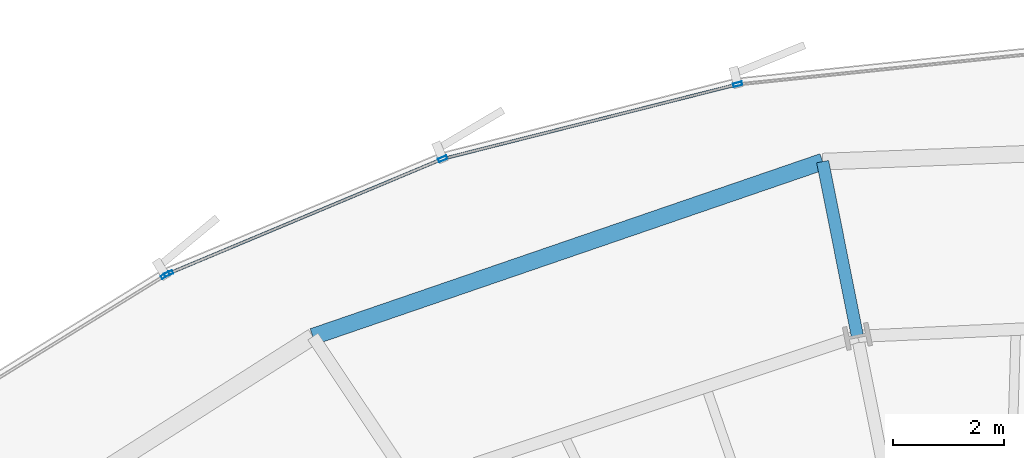
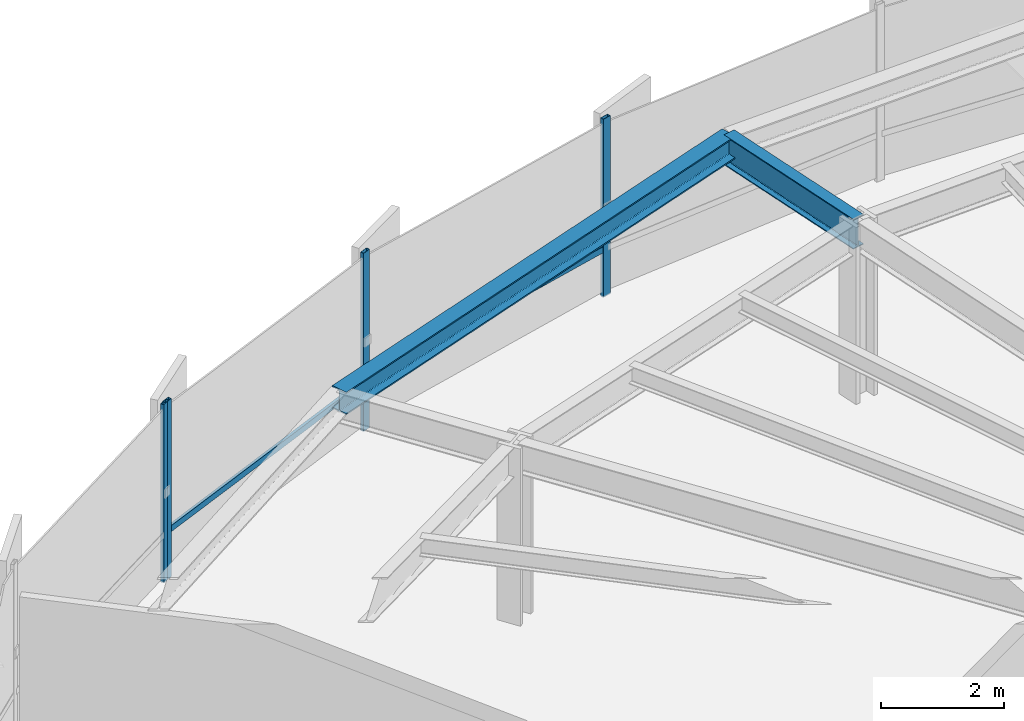
# One storey, part 24 of 42: 6 members, 2 beams, 2 elements without a shape of their own.
"""IFC4 building model written with IfcOpenShell, lengths in metres."""

from ifc_helpers import new_model, si_unit, direction, frame, origin, origin_2d, place, context, subcontext, project, spatial, hollow_rectangle, i_section, extrude, source, transform, mapped, material, layer, layer_set, material_profile, profile_set, type_object, element, aggregate, save


model = new_model("IFC4")

# Units and contexts
model_context = context("Model", 3, precision=1e-05, world=origin(), true_north=direction((0.0, 1.0)))
body_context = subcontext(model_context, "Body", "Model", "MODEL_VIEW")
ifc_project = project(units=[si_unit("LENGTHUNIT", "METRE"), si_unit("AREAUNIT", "SQUARE_METRE"), si_unit("VOLUMEUNIT", "CUBIC_METRE"), si_unit("PLANEANGLEUNIT", "RADIAN"), si_unit("MASSUNIT", "GRAM", prefix="KILO"), si_unit("THERMODYNAMICTEMPERATUREUNIT", "KELVIN")], contexts=[model_context])

# Site, building, storey
site_placement = place(None, origin())
site = spatial("IfcSite", under=ifc_project, at=site_placement, CompositionType="ELEMENT")
building_placement = place(site_placement, origin())
building = spatial("IfcBuilding", under=site, at=building_placement, Name="Kethvar Cultural Tower", CompositionType="ELEMENT")
storey_placement = place(building_placement, frame((0.0, 0.0, 37.199951171875)))
storey = spatial("IfcBuildingStorey", under=building, at=storey_placement, Name="L08", CompositionType="ELEMENT", Elevation=37.199951171875)

# Beams
ifc_material_1 = material(Name="Steel S355J2", Category="steel")
ifc_material_profile_1 = material_profile(ifc_material_1, i_section(OverallWidth=0.219970703125, OverallDepth=0.60009765625, WebThickness=0.011962890625, FlangeThickness=0.01904296875, FilletRadius=0.02392578125, at=origin_2d()), Name="Steel S355J2 — IPE600")
ifc_profile_set_1 = profile_set([ifc_material_profile_1], Name="Steel S355J2 — IPE600")
beam_type_1 = type_object("IfcBeamType", Name="BM-IPE600", PredefinedType="BEAM", material=ifc_profile_set_1)
shared_shape_1 = source(origin(), body_context, "Body", "SweptSolid", [
    extrude(i_section(OverallWidth=0.219970703125, OverallDepth=0.60009765625, WebThickness=0.011962890625, FlangeThickness=0.01904296875, FilletRadius=0.02392578125, at=origin_2d()), origin(), (0.0, 0.0, 1.0), 3.199951171875),
])
beam_1_placement = place(storey_placement, frame((42.651611328125, 48.65576171875, 3.248046875), z_axis=(-0.195162356126, 0.980770949178, 0.0), x_axis=(-0.980770949178, -0.195162356126, 0.0)))
element("IfcBeam", 1, at=beam_1_placement, inside=storey, type_object=beam_type_1, Name="L08 Perimeter Cantilever Beam RC-05", PredefinedType="BEAM", context=body_context, shape_type="MappedRepresentation", body=[
    mapped(shared_shape_1, transform((0.0, 0.0, 0.0), scale=1.0)),
])
ifc_material_profile_2 = material_profile(ifc_material_1, i_section(OverallWidth=0.300048828125, OverallDepth=0.449951171875, WebThickness=0.013916015625, FlangeThickness=0.02587890625, FilletRadius=0.027099609375, at=origin_2d()), Name="Steel S355J2 — HEB450")
ifc_profile_set_2 = profile_set([ifc_material_profile_2], Name="Steel S355J2 — HEB450")
beam_type_2 = type_object("IfcBeamType", Name="BM-SP450", PredefinedType="SPANDREL", material=ifc_profile_set_2)
shared_shape_2 = source(origin(), body_context, "Body", "SweptSolid", [
    extrude(i_section(OverallWidth=0.300048828125, OverallDepth=0.449951171875, WebThickness=0.013916015625, FlangeThickness=0.02587890625, FilletRadius=0.027099609375, at=origin_2d()), origin(), (0.0, 0.0, 1.0), 9.683349609375),
])
beam_2_placement = place(storey_placement, frame((42.027099609375, 51.794189453125, 3.322998046875), z_axis=(-0.945832074112, -0.324656260652, 0.0), x_axis=(0.324656260652, -0.945832074112, 0.0)))
element("IfcBeam", 2, at=beam_2_placement, inside=storey, type_object=beam_type_2, Name="L08 Perimeter Spandrel Beam SP-05", PredefinedType="SPANDREL", context=body_context, shape_type="MappedRepresentation", body=[
    mapped(shared_shape_2, transform((0.0, 0.0, 0.0), scale=1.0)),
])

# Curtain wall, members
ifc_material_2 = material(Name="Aluminium 6063-T6", Category="aluminium")
ifc_layer = layer(ifc_material_2, 0.179931640625, Name="Aluminium 6063-T6", Category="aluminium")
ifc_layer_set = layer_set([ifc_layer], Name="Aluminium 6063-T6 (180 mm)")
curtain_wall_type = type_object("IfcCurtainWallType", Name="CW-SYS-02-Z1", PredefinedType="NOTDEFINED", material=ifc_layer_set)
curtain_wall_1_placement = place(storey_placement, origin())
curtain_wall_1 = element("IfcCurtainWall", 3, at=curtain_wall_1_placement, inside=storey, type_object=curtain_wall_type, Name="L08 Curtain Wall Run 02", PredefinedType="NOTDEFINED")
ifc_material_profile_3 = material_profile(ifc_material_2, hollow_rectangle(XDim=0.06494140625, YDim=0.159912109375, WallThickness=0.0048828125, at=origin_2d()), Name="Aluminium 6063-T6 — RHS160x65x5")
ifc_profile_set_3 = profile_set([ifc_material_profile_3], Name="Aluminium 6063-T6 — RHS160x65x5")
member_type_1 = type_object("IfcMemberType", Name="CW-SYS-02-Z1-MUL", PredefinedType="MULLION", material=ifc_profile_set_3)
shared_shape_3 = source(origin(), body_context, "Body", "SweptSolid", [
    extrude(hollow_rectangle(XDim=0.06494140625, YDim=0.159912109375, WallThickness=0.0048828125, at=origin_2d()), origin(), (0.0, 0.0, 1.0), 3.550048828125),
])
member_1_placement = place(storey_placement, frame((40.50048828125, 53.18359375, 0.0), z_axis=(0.0, 0.0, 1.0), x_axis=(0.245121261213, -0.969492427666, 0.0)))
member_1 = element("IfcMember", 4, at=member_1_placement, type_object=member_type_1, Name="CW-L08-R02 Mullion 5", PredefinedType="MULLION", context=body_context, shape_type="MappedRepresentation", body=[
    mapped(shared_shape_3, transform((0.0, 0.0, 0.0), scale=1.0)),
])
member_2_placement = place(storey_placement, frame((35.199951171875, 51.844970703125, 0.0), z_axis=(0.0, 0.0, 1.0), x_axis=(0.38622804535, -0.922403326634, 0.0)))
member_2 = element("IfcMember", 5, at=member_2_placement, type_object=member_type_1, Name="CW-L08-R02 Mullion 6", PredefinedType="MULLION", context=body_context, shape_type="MappedRepresentation", body=[
    mapped(shared_shape_3, transform((0.0, 0.0, 0.0), scale=1.0)),
])
member_3_placement = place(storey_placement, frame((30.275390625, 49.78271484375, 0.0), z_axis=(0.0, 0.0, 1.0), x_axis=(0.38622804535, -0.922403326634, 0.0)))
member_3 = element("IfcMember", 6, at=member_3_placement, type_object=member_type_1, Name="CW-L08-R02 Mullion 7", PredefinedType="MULLION", context=body_context, shape_type="MappedRepresentation", body=[
    mapped(shared_shape_3, transform((0.0, 0.0, 0.0), scale=1.0)),
])

# Curtain wall, member
curtain_wall_2_placement = place(storey_placement, origin())
curtain_wall_2 = element("IfcCurtainWall", 7, at=curtain_wall_2_placement, inside=storey, type_object=curtain_wall_type, Name="L08 Curtain Wall Run 03", PredefinedType="NOTDEFINED")
member_4_placement = place(storey_placement, frame((30.217041015625, 49.7529296875, 0.0), z_axis=(0.0, 0.0, 1.0), x_axis=(0.524818120163, -0.851214391765, 0.0)))
member_4 = element("IfcMember", 8, at=member_4_placement, type_object=member_type_1, Name="CW-L08-R03 Mullion 1", PredefinedType="MULLION", context=body_context, shape_type="MappedRepresentation", body=[
    mapped(shared_shape_3, transform((0.0, 0.0, 0.0), scale=1.0)),
])
aggregate(curtain_wall_2, [member_4])

# Member
ifc_material_profile_4 = material_profile(ifc_material_2, hollow_rectangle(XDim=0.054931640625, YDim=0.1201171875, WallThickness=0.00390625, at=origin_2d()), Name="Aluminium 6063-T6 — RHS120x55x4")
ifc_profile_set_4 = profile_set([ifc_material_profile_4], Name="Aluminium 6063-T6 — RHS120x55x4")
member_type_2 = type_object("IfcMemberType", Name="CW-SYS-02-Z1-TRN", PredefinedType="USERDEFINED", material=ifc_profile_set_4)
shared_shape_4 = source(origin(), body_context, "Body", "SweptSolid", [
    extrude(hollow_rectangle(XDim=0.054931640625, YDim=0.1201171875, WallThickness=0.00390625, at=origin_2d()), origin(), (0.0, 0.0, 1.0), 5.39111328125),
])
member_5_placement = place(storey_placement, frame((40.455078125, 53.172119140625, 0.949951171875), z_axis=(-0.969489024663, -0.245134720221, 0.0), x_axis=(0.245134720221, -0.969489024663, 0.0)))
member_5 = element("IfcMember", 9, at=member_5_placement, type_object=member_type_2, Name="CW-L08-R02 Transom 5", ObjectType="TRANSOM", PredefinedType="USERDEFINED", context=body_context, shape_type="MappedRepresentation", body=[
    mapped(shared_shape_4, transform((0.0, 0.0, 0.0), scale=1.0)),
])

shared_shape_5 = source(origin(), body_context, "Body", "SweptSolid", [
    extrude(hollow_rectangle(XDim=0.054931640625, YDim=0.1201171875, WallThickness=0.00390625, at=origin_2d()), origin(), (0.0, 0.0, 1.0), 5.28759765625),
])
member_6_placement = place(storey_placement, frame((35.15673828125, 51.826904296875, 0.949951171875), z_axis=(-0.922399293302, -0.386237677753, 0.0), x_axis=(0.386237677753, -0.922399293302, 0.0)))
member_6 = element("IfcMember", 10, at=member_6_placement, type_object=member_type_2, Name="CW-L08-R02 Transom 6", ObjectType="TRANSOM", PredefinedType="USERDEFINED", context=body_context, shape_type="MappedRepresentation", body=[
    mapped(shared_shape_5, transform((0.0, 0.0, 0.0), scale=1.0)),
])

aggregate(curtain_wall_1, [member_1, member_2, member_3, member_5, member_6])

save(model, "model.ifc")
